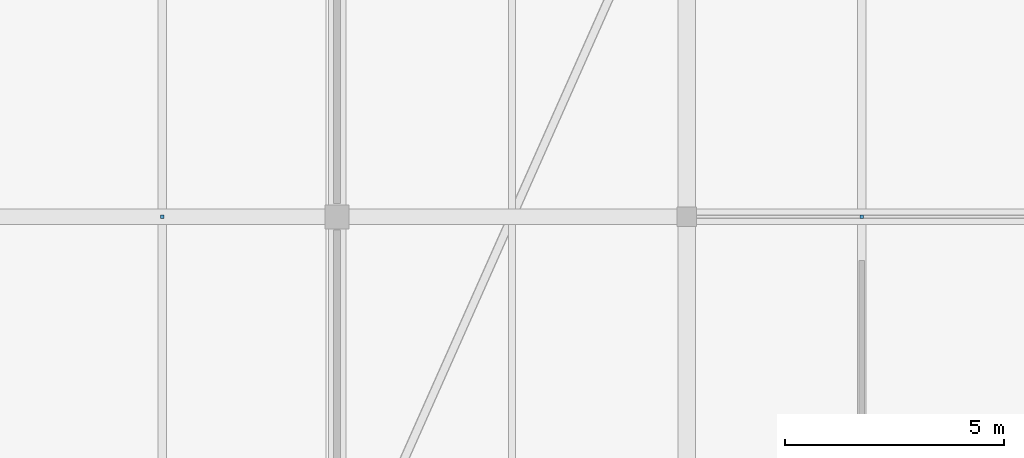
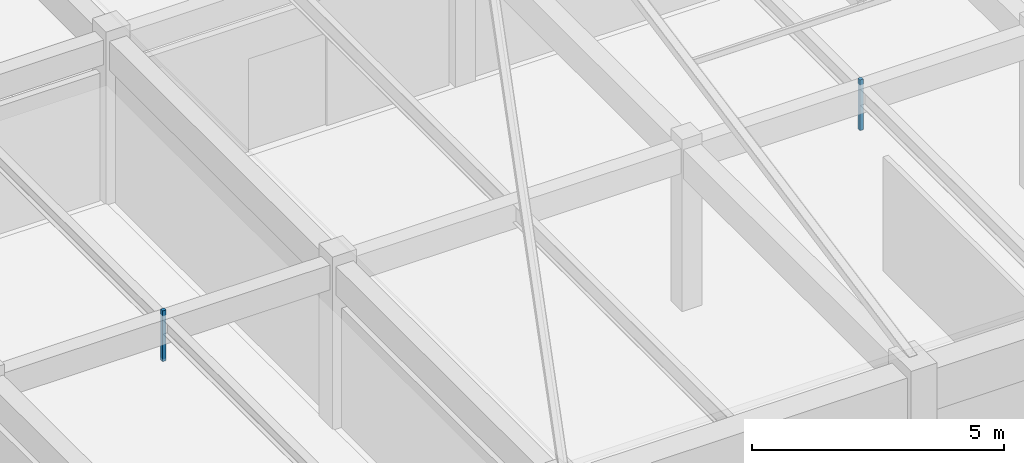
# One storey, part 115 of 126: 2 discrete accessories.
"""IFC4 building model written with IfcOpenShell, lengths in metres."""

from ifc_helpers import new_model, si_unit, direction, frame, origin, origin_2d, place, context, subcontext, project, spatial, rectangle, extrude, material, layer, layer_set, type_object, element, save


model = new_model("IFC4")

# Units and contexts
model_context = context("Model", 3, precision=1e-05, world=origin(), true_north=direction((0.0, 1.0)))
body_context = subcontext(model_context, "Body", "Model", "MODEL_VIEW")
ifc_project = project(units=[si_unit("LENGTHUNIT", "METRE"), si_unit("AREAUNIT", "SQUARE_METRE"), si_unit("VOLUMEUNIT", "CUBIC_METRE"), si_unit("PLANEANGLEUNIT", "RADIAN"), si_unit("MASSUNIT", "GRAM", prefix="KILO")], contexts=[model_context])

# Site, building, storey
site_placement = place(None, origin())
site = spatial("IfcSite", under=ifc_project, at=site_placement, CompositionType="ELEMENT")
building_placement = place(site_placement, origin())
building = spatial("IfcBuilding", under=site, at=building_placement, Name="Varnabhumi Central Station", CompositionType="ELEMENT")
storey_placement = place(building_placement, frame((0.0, 0.0, 16.199951171875)))
storey = spatial("IfcBuildingStorey", under=building, at=storey_placement, Name="L03", CompositionType="ELEMENT", Elevation=16.199951171875)

# Discrete accessories
ifc_material = material(Name="Structural steel E350", Category="steel")
ifc_layer = layer(ifc_material, 0.159912109375, Name="Structural steel E350", Category="steel")
ifc_layer_set = layer_set([ifc_layer], Name="Structural steel E350")
discrete_accessory_type = type_object("IfcDiscreteAccessoryType", Name="ACC-SHADE-BRKT", PredefinedType="BRACKET", material=ifc_layer_set)
for number, where, z_axis, x_axis, name in (
    (1, (92.0, 89.0, 2.840087890625), (0.0, 0.0, 1.0), (1.0, 0.0, 0.0), "Artisan Exhibition Gallery Ceiling Hanger"),
    (2, (108.0, 89.0, 2.840087890625), (0.0, 0.0, 1.0), (1.0, 0.0, 0.0), "Travellers' Reading Room and Study Ceiling Hanger"),
):
    element("IfcDiscreteAccessory", number, at=place(storey_placement, frame(where, z_axis=z_axis, x_axis=x_axis)), inside=storey, type_object=discrete_accessory_type, Name=name, PredefinedType="BRACKET", context=body_context, shape_type="SweptSolid", body=[
        extrude(rectangle(XDim=0.080078125, YDim=0.080078125, at=origin_2d()), origin(), (0.0, 0.0, 1.0), 1.22998046875),
    ])

save(model, "model.ifc")
